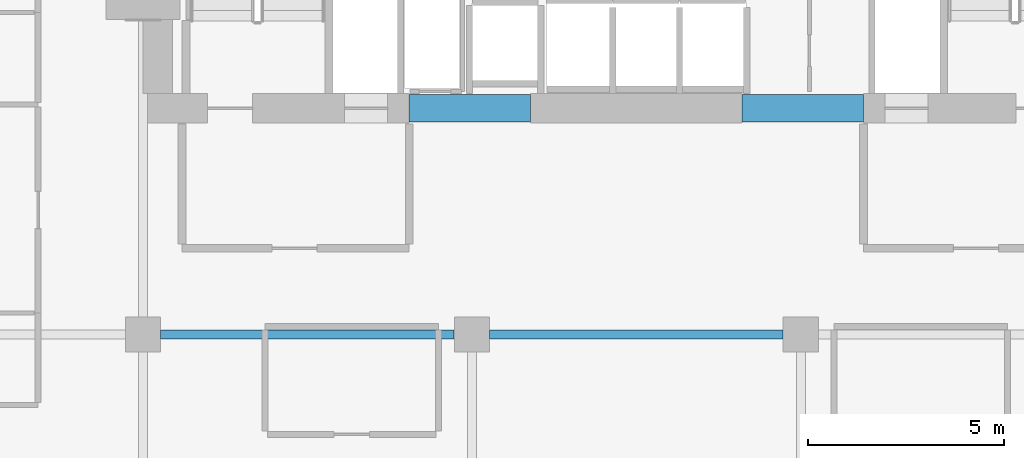
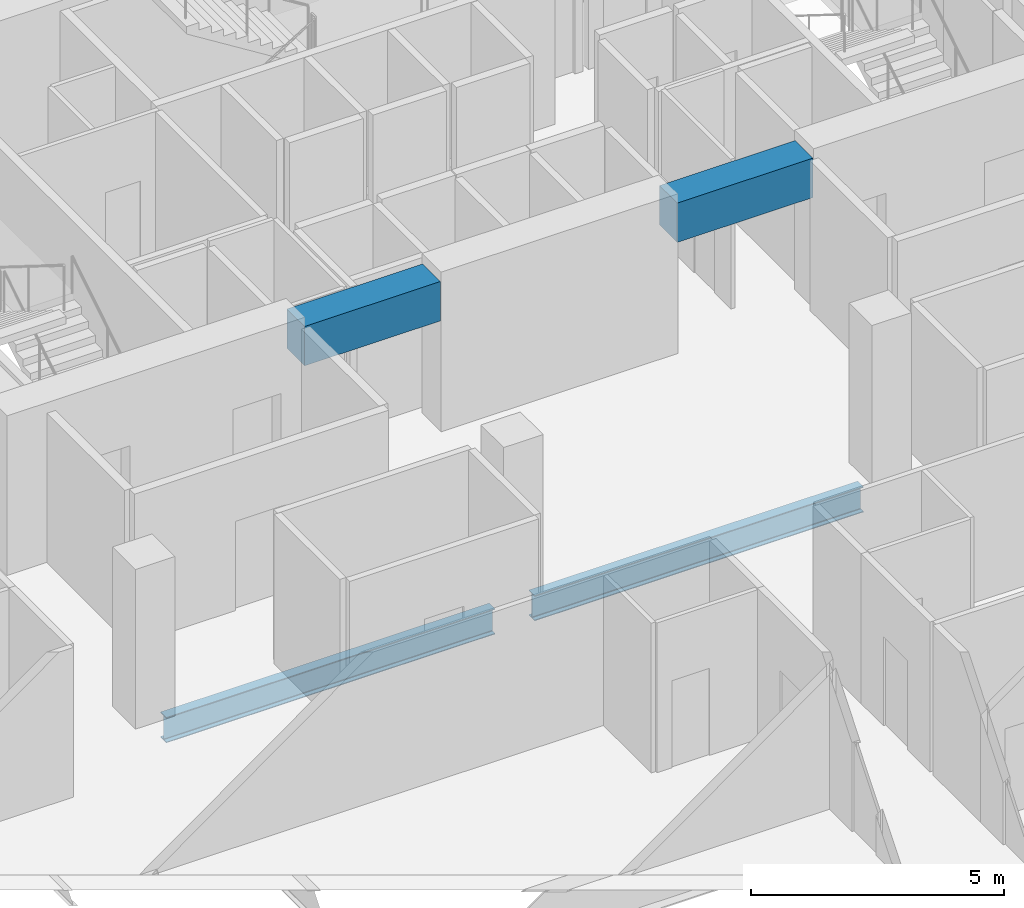
# One storey, part 21 of 33: 4 beams.
"""IFC4 building model written with IfcOpenShell, lengths in metres."""

import ifcopenshell
import ifcopenshell.guid

model = None  # the IFC model being written
_history = None  # IfcOwnerHistory: only IFC2X3 demands one
_inside = {}  # id of a spatial element -> (the spatial element, [elements in it])
_under = {}  # id of a project, library or spatial element -> (it, [spatial elements below it])
_declared = {}  # id of a project -> (the project, [libraries it declares])
_typed = {}  # id of a type object -> (the type object, [elements of that type])
_made_of = {}  # id of a material, layer set ... -> (it, [elements and type objects made of it])


def new_model(schema):
    """Start an empty IFC model of exactly this schema.

    Asked for "IFC4X3", IfcOpenShell would pick the latest addendum, in which some entities
    have other attributes; the version numbers below select the first issue.
    IFC2X3 requires an IfcOwnerHistory on every rooted entity: one is made here for all.
    """
    global model, _history
    if schema == "IFC4X3":
        model = ifcopenshell.file(schema_version=(4, 3, 0, 0))
    else:
        model = ifcopenshell.file(schema=schema)
    _inside.clear()
    _under.clear()
    _declared.clear()
    _typed.clear()
    _made_of.clear()
    _history = None
    if model.schema == "IFC2X3":
        org = make("IfcOrganization", Name="unknown")
        user = make(
            "IfcPersonAndOrganization",
            ThePerson=make("IfcPerson", FamilyName="unknown"),
            TheOrganization=org,
        )
        app = make(
            "IfcApplication",
            ApplicationDeveloper=org,
            Version="unknown",
            ApplicationFullName="unknown",
            ApplicationIdentifier="unknown",
        )
        _history = make(
            "IfcOwnerHistory",
            OwningUser=user,
            OwningApplication=app,
            ChangeAction="ADDED",
            CreationDate=0,
        )
    return model


def make(cls, **values):
    """One entity of the class cls with the attributes given. An attribute that is None is left unset."""
    return model.create_entity(
        cls, **{name: value for name, value in values.items() if value is not None}
    )


def rooted(cls, **values):
    """An entity with a GlobalId (a new one), such as an element, a storey or a relation."""
    return make(cls, GlobalId=ifcopenshell.guid.new(), OwnerHistory=_history, **values)


def si_unit(unit_type, name, prefix=None):
    """IfcSIUnit, for example si_unit("LENGTHUNIT", "METRE", prefix="MILLI")."""
    return make("IfcSIUnit", UnitType=unit_type, Prefix=prefix, Name=name)


def assignment(units):
    """IfcUnitAssignment: the units of a project."""
    return None if units is None else make("IfcUnitAssignment", Units=units)


def point(xyz):
    """IfcCartesianPoint."""
    return None if xyz is None else make("IfcCartesianPoint", Coordinates=xyz)


def direction(xyz):
    """IfcDirection."""
    return None if xyz is None else make("IfcDirection", DirectionRatios=xyz)


def frame(location, z_axis=None, x_axis=None):
    """IfcAxis2Placement3D, a coordinate frame: its origin and axes. An axis left out is left unset."""
    return make(
        "IfcAxis2Placement3D",
        Location=point(location),
        Axis=direction(z_axis),
        RefDirection=direction(x_axis),
    )


def frame_2d(location, x_axis=None):
    """IfcAxis2Placement2D, a coordinate frame in the plane: its origin and x axis."""
    return make(
        "IfcAxis2Placement2D", Location=point(location), RefDirection=direction(x_axis)
    )


def origin():
    """The frame at (0, 0, 0) with its axes left unset."""
    return frame((0.0, 0.0, 0.0))


def origin_2d():
    """The frame at (0, 0) in the plane with its x axis left unset."""
    return frame_2d((0.0, 0.0))


def place(relative_to, where):
    """IfcLocalPlacement: puts the frame where relative to a parent placement (None: the world)."""
    return make(
        "IfcLocalPlacement", PlacementRelTo=relative_to, RelativePlacement=where
    )


def context(
    kind, dimensions, precision=None, world=None, true_north=None, identifier=None
):
    """IfcGeometricRepresentationContext, for example the 3D "Model" context."""
    return make(
        "IfcGeometricRepresentationContext",
        ContextIdentifier=identifier,
        ContextType=kind,
        CoordinateSpaceDimension=dimensions,
        Precision=precision,
        WorldCoordinateSystem=world,
        TrueNorth=true_north,
    )


def subcontext(parent, identifier, kind, view, scale=None):
    """IfcGeometricRepresentationSubContext, for example "Body" below "Model"."""
    return make(
        "IfcGeometricRepresentationSubContext",
        ContextIdentifier=identifier,
        ContextType=kind,
        ParentContext=parent,
        TargetScale=scale,
        TargetView=view,
    )


def project(units=None, contexts=None):
    """IfcProject with its units and contexts."""
    return rooted(
        "IfcProject",
        Name="project",
        RepresentationContexts=contexts,
        UnitsInContext=assignment(units),
    )


def spatial(cls, under=None, at=None, **own):
    """A site, building, storey or space (cls), placed at a placement, below another one or the project."""
    s = rooted(cls, ObjectPlacement=at, **own)
    if under is not None:
        _under.setdefault(under.id(), (under, []))[1].append(s)
    return s


def profile(cls, at=None, kind="AREA", **sizes):
    """A parametric profile (cls). Its sizes go by their IFC names, for example OverallWidth=200.0."""
    return make(cls, ProfileType=kind, Position=at, **sizes)


def rectangle(**sizes):
    """IfcRectangleProfileDef."""
    return profile("IfcRectangleProfileDef", **sizes)


def i_section(**sizes):
    """IfcIShapeProfileDef."""
    return profile("IfcIShapeProfileDef", **sizes)


def extrude(swept, where, along, depth):
    """IfcExtrudedAreaSolid: the profile swept, set in the frame where, extruded along a direction by depth."""
    return make(
        "IfcExtrudedAreaSolid",
        SweptArea=swept,
        Position=where,
        ExtrudedDirection=direction(along),
        Depth=depth,
    )


def shape(context_of_items, identifier, shape_type, items):
    """IfcShapeRepresentation: the items that make up one representation, for example the "Body"."""
    return make(
        "IfcShapeRepresentation",
        ContextOfItems=context_of_items,
        RepresentationIdentifier=identifier,
        RepresentationType=shape_type,
        Items=items,
    )


def material(Name=None, Category=None):
    """IfcMaterial."""
    return make("IfcMaterial", Name=Name, Category=Category)


def material_profile(
    of_material, cross_section, Name=None, Category=None, Priority=None
):
    """IfcMaterialProfile: a cross section and its material."""
    return make(
        "IfcMaterialProfile",
        Name=Name,
        Material=of_material,
        Profile=cross_section,
        Priority=Priority,
        Category=Category,
    )


def profile_set(profiles, Name=None, composite=None):
    """IfcMaterialProfileSet."""
    return make(
        "IfcMaterialProfileSet",
        Name=Name,
        MaterialProfiles=profiles,
        CompositeProfile=composite,
    )


def made_of(thing, what):
    """Note that an element or type object is made of a material, layer set ...; save() writes the relation."""
    if what is not None:
        _made_of.setdefault(what.id(), (what, []))[1].append(thing)
    return thing


def type_object(cls, material=None, **own):
    """A type object (cls), such as IfcWallType, which elements share."""
    return made_of(rooted(cls, **own), material)


def element(
    cls,
    number,
    at=None,
    inside=None,
    cuts=None,
    type_object=None,
    material=None,
    context=None,
    identifier="Body",
    shape_type=None,
    held_by="IfcProductDefinitionShape",
    body=None,
    shapes=None,
    **own,
):
    """One element of the class cls, such as IfcWall. Its Tag is "e" and its number.

    at: its placement. inside: the storey or other place that contains it. cuts: it is an
    opening in that element (IfcRelVoidsElement). A single representation is given by context,
    identifier, shape_type and body (its items); several are given by shapes. held_by: the class
    of the entity that holds the representations. save() writes the other relations.
    """
    e = rooted(cls, Tag="e%d" % number, ObjectPlacement=at, **own)
    if body is not None:
        shapes = [shape(context, identifier, shape_type, body)]
    if shapes is not None:
        e.Representation = make(held_by, Representations=shapes)
    if inside is not None:
        _inside.setdefault(inside.id(), (inside, []))[1].append(e)
    if cuts is not None:
        rooted(
            "IfcRelVoidsElement", RelatingBuildingElement=cuts, RelatedOpeningElement=e
        )
    if type_object is not None:
        _typed.setdefault(type_object.id(), (type_object, []))[1].append(e)
    return made_of(e, material)


def aggregate(whole, parts):
    """IfcRelAggregates: a whole, such as a stair, and the parts it consists of."""
    return rooted("IfcRelAggregates", RelatingObject=whole, RelatedObjects=parts)


def save(model, path):
    """Write the relations noted so far, then the file.

    IfcRelAggregates (storeys below a building ...), IfcRelContainedInSpatialStructure (elements
    in a storey), IfcRelDefinesByType, IfcRelAssociatesMaterial and IfcRelDeclares: one each for
    every whole, place, type object, material and project.
    """
    for whole, parts in _under.values():
        aggregate(whole, parts)
    for where, things in _inside.values():
        rooted(
            "IfcRelContainedInSpatialStructure",
            RelatedElements=things,
            RelatingStructure=where,
        )
    for kind, things in _typed.values():
        rooted("IfcRelDefinesByType", RelatedObjects=things, RelatingType=kind)
    for what, things in _made_of.values():
        rooted("IfcRelAssociatesMaterial", RelatedObjects=things, RelatingMaterial=what)
    for by, libraries in _declared.values():
        rooted("IfcRelDeclares", RelatingContext=by, RelatedDefinitions=libraries)
    model.write(path)


model = new_model("IFC4")

# Units and contexts
model_context = context("Model", 3, precision=1e-05, world=origin(), true_north=direction((0.0, 1.0)))
body_context = subcontext(model_context, "Body", "Model", "MODEL_VIEW")
ifc_project = project(units=[si_unit("LENGTHUNIT", "METRE"), si_unit("AREAUNIT", "SQUARE_METRE"), si_unit("VOLUMEUNIT", "CUBIC_METRE"), si_unit("PLANEANGLEUNIT", "RADIAN"), si_unit("MASSUNIT", "GRAM", prefix="KILO")], contexts=[model_context])

# Site, building, storey
site_placement = place(None, origin())
site = spatial("IfcSite", under=ifc_project, at=site_placement, CompositionType="ELEMENT")
building_placement = place(site_placement, origin())
building = spatial("IfcBuilding", under=site, at=building_placement, Name="Maruvema Waterfront Hotel and Observation Tower", CompositionType="ELEMENT")
storey_placement = place(building_placement, frame((0.0, 0.0, 142.800048828125)))
storey = spatial("IfcBuildingStorey", under=building, at=storey_placement, Name="L34", CompositionType="ELEMENT", Elevation=142.800048828125)

# Beams
ifc_material_1 = material(Name="Concrete C60/75", Category="concrete")
ifc_material_profile_1 = material_profile(ifc_material_1, rectangle(XDim=0.699951171875, YDim=0.949951171875, at=origin_2d()), Name="CB700x950")
ifc_profile_set_1 = profile_set([ifc_material_profile_1], Name="Concrete C60/75")
beam_type_1 = type_object("IfcBeamType", Name="Core Coupling Lintel Beam CB700x950", PredefinedType="LINTEL", material=ifc_profile_set_1)
for number, where, z_axis, x_axis, name in (
    (1, (32.0, 41.77490234375, 3.135009765625), (1.0, 0.0, 0.0), (0.0, 1.0, 0.0), "L34 Core Coupling Lintel Beam West"),
    (2, (40.5, 41.77490234375, 3.135009765625), (1.0, 0.0, 0.0), (0.0, 1.0, 0.0), "L34 Core Coupling Lintel Beam East"),
):
    element("IfcBeam", number, at=place(storey_placement, frame(where, z_axis=z_axis, x_axis=x_axis)), inside=storey, type_object=beam_type_1, Name=name, PredefinedType="LINTEL", context=body_context, shape_type="SweptSolid", body=[
        extrude(rectangle(XDim=0.699951171875, YDim=0.949951171875, at=origin_2d()), origin(), (0.0, 0.0, 1.0), 3.10009765625),
    ])
ifc_material_2 = material(Name="Steel ASTM A572 Grade 50", Category="steel")
ifc_material_profile_2 = material_profile(ifc_material_2, i_section(OverallWidth=0.22900390625, OverallDepth=0.612060546875, WebThickness=0.011962890625, FlangeThickness=0.01953125, FilletRadius=0.01806640625, at=origin_2d()), Name="W610x125.0")
ifc_profile_set_2 = profile_set([ifc_material_profile_2], Name="Steel ASTM A572 Grade 50")
beam_type_2 = type_object("IfcBeamType", Name="Primary Floor Girder W610x125.0", PredefinedType="BEAM", material=ifc_profile_set_2)
for number, where, z_axis, x_axis, name in (
    (3, (25.64990234375, 36.0, -0.546142578125), (1.0, 0.0, 0.0), (0.0, 1.0, 0.0), "L34 Floor Girder EW-25"),
    (4, (34.050048828125, 36.0, -0.546142578125), (1.0, 0.0, 0.0), (0.0, 1.0, 0.0), "L34 Floor Girder EW-26"),
):
    element("IfcBeam", number, at=place(storey_placement, frame(where, z_axis=z_axis, x_axis=x_axis)), inside=storey, type_object=beam_type_2, Name=name, PredefinedType="BEAM", context=body_context, shape_type="SweptSolid", body=[
        extrude(i_section(OverallWidth=0.22900390625, OverallDepth=0.612060546875, WebThickness=0.011962890625, FlangeThickness=0.01953125, FilletRadius=0.01806640625, at=origin_2d()), origin(), (0.0, 0.0, 1.0), 7.5),
    ])

save(model, "model.ifc")
